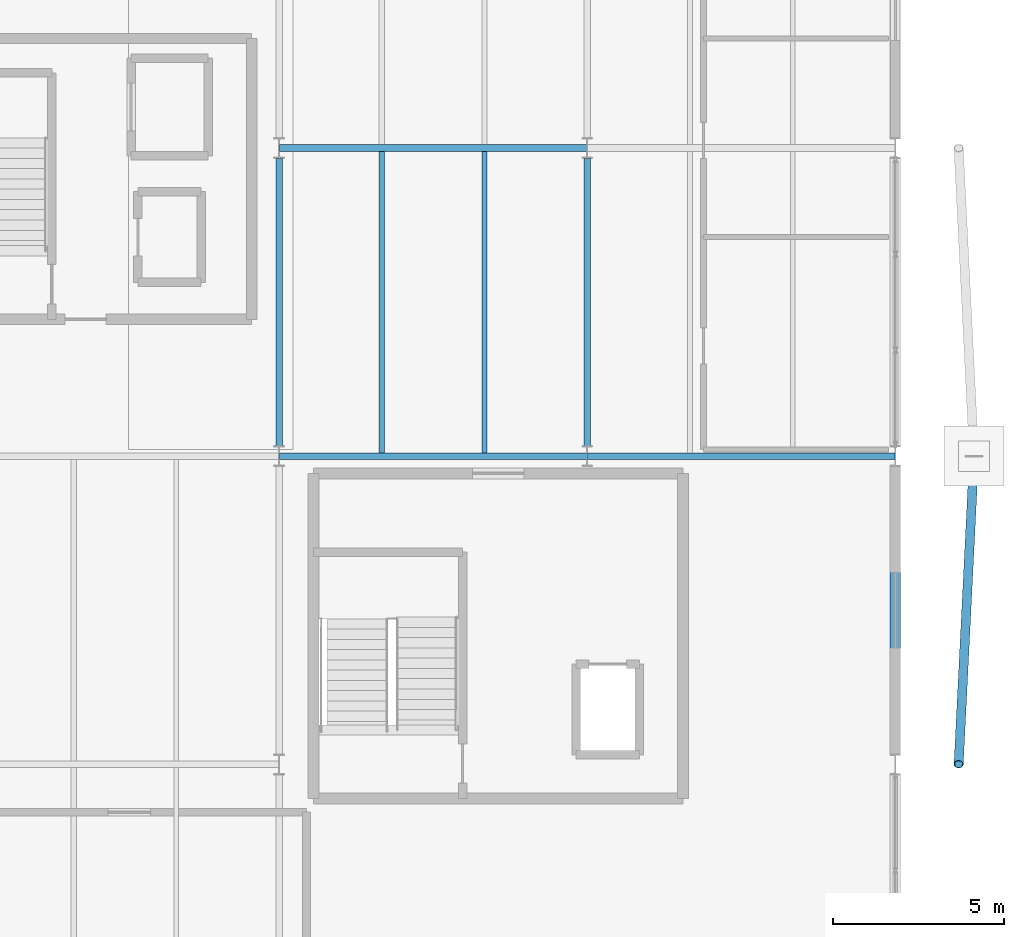
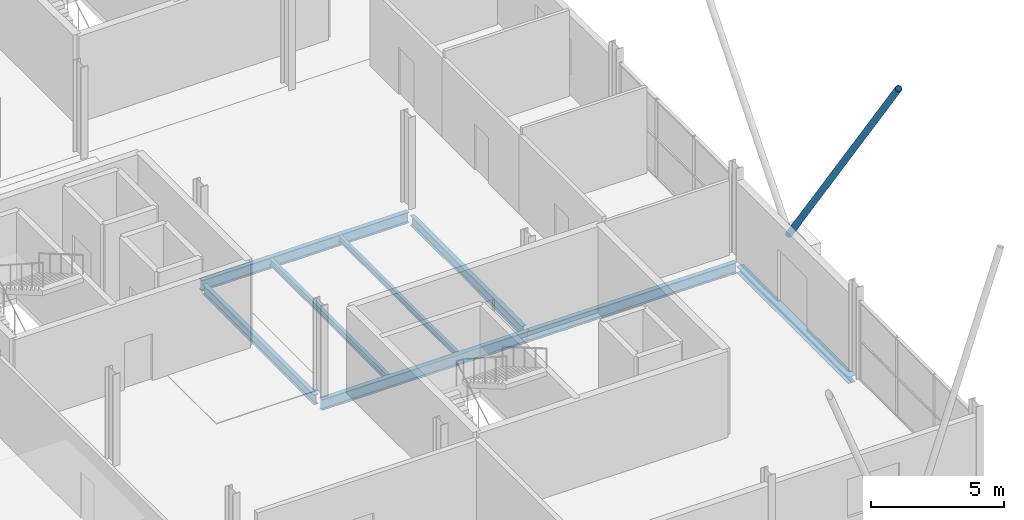
# One storey, part 88 of 140: 8 beams, 1 member.
"""IFC4 building model written with IfcOpenShell, lengths in metres."""

from ifc_helpers import new_model, si_unit, direction, frame, origin, origin_2d, place, context, subcontext, project, spatial, hollow_circle, i_section, extrude, material, material_profile, profile_set, type_object, element, save


model = new_model("IFC4")

# Units and contexts
model_context = context("Model", 3, precision=1e-05, world=origin(), true_north=direction((0.0, 1.0)))
body_context = subcontext(model_context, "Body", "Model", "MODEL_VIEW")
ifc_project = project(units=[si_unit("LENGTHUNIT", "METRE"), si_unit("AREAUNIT", "SQUARE_METRE"), si_unit("VOLUMEUNIT", "CUBIC_METRE"), si_unit("PLANEANGLEUNIT", "RADIAN"), si_unit("MASSUNIT", "GRAM", prefix="KILO")], contexts=[model_context])

# Site, building, storey
site_placement = place(None, origin())
site = spatial("IfcSite", under=ifc_project, at=site_placement, CompositionType="ELEMENT")
building_placement = place(site_placement, origin())
building = spatial("IfcBuilding", under=site, at=building_placement, Name="Deido Ridge Mobility Hub", CompositionType="ELEMENT")
storey_placement = place(building_placement, origin())
storey = spatial("IfcBuildingStorey", under=building, at=storey_placement, Name="L00", CompositionType="ELEMENT", Elevation=0.0)

# Beams
ifc_material_1 = material(Name="Steel S355J2 EN 10025-2", Category="steel")
ifc_material_profile_1 = material_profile(ifc_material_1, i_section(OverallWidth=0.18994140625, OverallDepth=0.449951171875, WebThickness=0.009521484375, FlangeThickness=0.0146484375, FilletRadius=0.02099609375, at=origin_2d()), Name="IPE 450")
ifc_profile_set_1 = profile_set([ifc_material_profile_1], Name="Steel S355J2 EN 10025-2")
beam_type_1 = type_object("IfcBeamType", Name="BM-IPE450", PredefinedType="BEAM", material=ifc_profile_set_1)
for number, where, z_axis, x_axis, name in (
    (1, (162.0, 18.300048828125, -0.485107421875), (0.0, 1.0, 0.0), (-1.0, 0.0, 0.0), "Floor beam B4"),
    (2, (171.0, 18.300048828125, -0.485107421875), (0.0, 1.0, 0.0), (-1.0, 0.0, 0.0), "Floor beam B4"),
):
    element("IfcBeam", number, at=place(storey_placement, frame(where, z_axis=z_axis, x_axis=x_axis)), inside=storey, type_object=beam_type_1, Name=name, PredefinedType="BEAM", context=body_context, shape_type="SweptSolid", body=[
        extrude(i_section(OverallWidth=0.18994140625, OverallDepth=0.449951171875, WebThickness=0.009521484375, FlangeThickness=0.0146484375, FilletRadius=0.02099609375, at=origin_2d()), origin(), (0.0, 0.0, 1.0), 8.39990234375),
    ])
ifc_material_profile_2 = material_profile(ifc_material_1, i_section(OverallWidth=0.199951171875, OverallDepth=0.5, WebThickness=0.01025390625, FlangeThickness=0.01611328125, FilletRadius=0.02099609375, at=origin_2d()), Name="IPE 500")
ifc_profile_set_2 = profile_set([ifc_material_profile_2], Name="Steel S355J2 EN 10025-2")
beam_type_2 = type_object("IfcBeamType", Name="BM-IPE500", PredefinedType="BEAM", material=ifc_profile_set_2)
for number, where, z_axis, x_axis, name in (
    (3, (162.0078125, 18.0, -0.510009765625), (1.0, 0.0, 0.0), (0.0, 1.0, 0.0), "Floor beam B3"),
    (4, (171.0078125, 18.0, -0.510009765625), (1.0, 0.0, 0.0), (0.0, 1.0, 0.0), "Floor beam B3"),
    (5, (162.0078125, 27.0, -0.510009765625), (1.0, 0.0, 0.0), (0.0, 1.0, 0.0), "Floor beam B3"),
):
    element("IfcBeam", number, at=place(storey_placement, frame(where, z_axis=z_axis, x_axis=x_axis)), inside=storey, type_object=beam_type_2, Name=name, PredefinedType="BEAM", context=body_context, shape_type="SweptSolid", body=[
        extrude(i_section(OverallWidth=0.199951171875, OverallDepth=0.5, WebThickness=0.01025390625, FlangeThickness=0.01611328125, FilletRadius=0.02099609375, at=origin_2d()), origin(), (0.0, 0.0, 1.0), 8.984375),
    ])
ifc_material_profile_3 = material_profile(ifc_material_1, i_section(OverallWidth=0.135009765625, OverallDepth=0.27001953125, WebThickness=0.006591796875, FlangeThickness=0.01025390625, FilletRadius=0.014892578125, at=origin_2d()), Name="IPE 270")
ifc_profile_set_3 = profile_set([ifc_material_profile_3], Name="Steel S355J2 EN 10025-2")
beam_type_3 = type_object("IfcBeamType", Name="JST-IPE270", PredefinedType="JOIST", material=ifc_profile_set_3)
beam_1_placement = place(storey_placement, frame((168.0, 18.10009765625, -0.39501953125), z_axis=(0.0, 1.0, 0.0), x_axis=(-1.0, 0.0, 0.0)))
element("IfcBeam", 6, at=beam_1_placement, inside=storey, type_object=beam_type_3, Name="Composite joist J4", PredefinedType="JOIST", context=body_context, shape_type="SweptSolid", body=[
    extrude(i_section(OverallWidth=0.135009765625, OverallDepth=0.27001953125, WebThickness=0.006591796875, FlangeThickness=0.01025390625, FilletRadius=0.014892578125, at=origin_2d()), origin(), (0.0, 0.0, 1.0), 8.7998046875),
])
ifc_material_profile_4 = material_profile(ifc_material_1, i_section(OverallWidth=0.14990234375, OverallDepth=0.300048828125, WebThickness=0.007080078125, FlangeThickness=0.0107421875, FilletRadius=0.014892578125, at=origin_2d()), Name="IPE 300")
ifc_profile_set_4 = profile_set([ifc_material_profile_4], Name="Steel S355J2 EN 10025-2")
beam_type_4 = type_object("IfcBeamType", Name="JST-IPE300", PredefinedType="JOIST", material=ifc_profile_set_4)
beam_2_placement = place(storey_placement, frame((165.0, 18.10009765625, -0.409912109375), z_axis=(0.0, 1.0, 0.0), x_axis=(-1.0, 0.0, 0.0)))
element("IfcBeam", 7, at=beam_2_placement, inside=storey, type_object=beam_type_4, Name="Composite joist J3", PredefinedType="JOIST", context=body_context, shape_type="SweptSolid", body=[
    extrude(i_section(OverallWidth=0.14990234375, OverallDepth=0.300048828125, WebThickness=0.007080078125, FlangeThickness=0.0107421875, FilletRadius=0.014892578125, at=origin_2d()), origin(), (0.0, 0.0, 1.0), 8.7998046875),
])

# Member
ifc_material_2 = material(Name="Steel S355J2H EN 10210-1", Category="steel")
ifc_material_profile_5 = material_profile(ifc_material_2, hollow_circle(Radius=0.136474609375, WallThickness=0.012451171875, at=origin_2d()), Name="CHS 273x12.5")
ifc_profile_set_5 = profile_set([ifc_material_profile_5], Name="Steel S355J2H EN 10210-1")
member_type = type_object("IfcMemberType", Name="MEM-BRC-CHS273", PredefinedType="BRACE", material=ifc_profile_set_5)
member_placement = place(storey_placement, frame((182.300048828125, 18.0, 0.1650390625), z_axis=(-0.029533007988, -0.59072425745, 0.806332842627), x_axis=(0.998752609117, -0.049932211876, 0.0)))
element("IfcMember", 8, at=member_placement, inside=storey, type_object=member_type, Name="Deconstructivist exoskeleton raked V-strut BR1", PredefinedType="BRACE", context=body_context, shape_type="SweptSolid", body=[
    extrude(hollow_circle(Radius=0.136474609375, WallThickness=0.012451171875, at=origin_2d()), origin(), (0.0, 0.0, 1.0), 15.235595703125),
])

# Beam
ifc_material_profile_6 = material_profile(ifc_material_1, i_section(OverallWidth=0.300048828125, OverallDepth=0.300048828125, WebThickness=0.010986328125, FlangeThickness=0.01904296875, FilletRadius=0.027099609375, at=origin_2d()), Name="HEB 300")
ifc_profile_set_6 = profile_set([ifc_material_profile_6], Name="Steel S355J2 EN 10025-2")
beam_type_5 = type_object("IfcBeamType", Name="SPD-HEB300", PredefinedType="SPANDREL", material=ifc_profile_set_6)
beam_3_placement = place(storey_placement, frame((180.0, 9.300048828125, -0.409912109375), z_axis=(0.0, 1.0, 0.0), x_axis=(-1.0, 0.0, 0.0)))
element("IfcBeam", 9, at=beam_3_placement, inside=storey, type_object=beam_type_5, Name="Floor beam SP1", PredefinedType="SPANDREL", context=body_context, shape_type="SweptSolid", body=[
    extrude(i_section(OverallWidth=0.300048828125, OverallDepth=0.300048828125, WebThickness=0.010986328125, FlangeThickness=0.01904296875, FilletRadius=0.027099609375, at=origin_2d()), origin(), (0.0, 0.0, 1.0), 8.39990234375),
])

save(model, "model.ifc")
